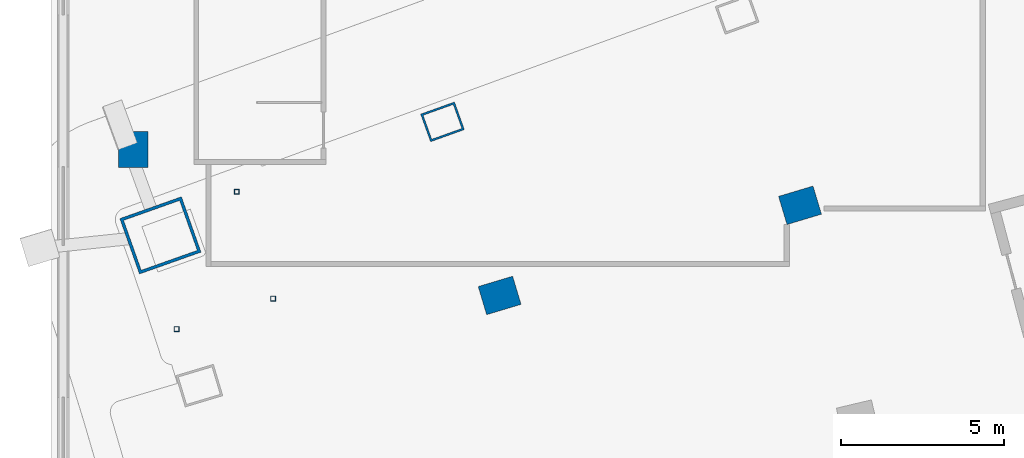
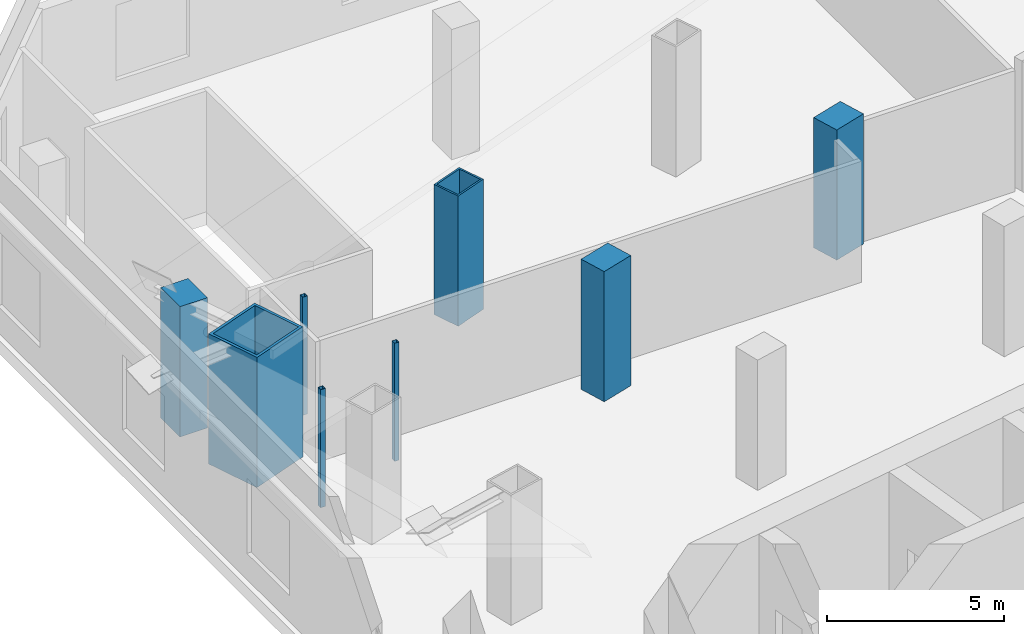
# One storey, part 6 of 19: 8 columns.
"""IFC4 building model written with IfcOpenShell, lengths in metres."""

from ifc_helpers import new_model, si_unit, direction, frame, origin, origin_2d, place, context, subcontext, project, spatial, rectangle, hollow_rectangle, extrude, material, material_profile, profile_set, type_object, element, save


model = new_model("IFC4")

# Units and contexts
model_context = context("Model", 3, precision=1e-05, world=origin(), true_north=direction((0.0, 1.0)))
body_context = subcontext(model_context, "Body", "Model", "MODEL_VIEW")
ifc_project = project(units=[si_unit("LENGTHUNIT", "METRE"), si_unit("AREAUNIT", "SQUARE_METRE"), si_unit("VOLUMEUNIT", "CUBIC_METRE"), si_unit("PLANEANGLEUNIT", "RADIAN"), si_unit("MASSUNIT", "GRAM", prefix="KILO")], contexts=[model_context])

# Site, building, storey
site_placement = place(None, origin())
site = spatial("IfcSite", under=ifc_project, at=site_placement, CompositionType="ELEMENT")
building_placement = place(site_placement, origin())
building = spatial("IfcBuilding", under=site, at=building_placement, Name="Alderwake Tower", CompositionType="ELEMENT")
storey_placement = place(building_placement, frame((0.0, 0.0, 27.5)))
storey = spatial("IfcBuildingStorey", under=building, at=storey_placement, Name="L05", CompositionType="ELEMENT", Elevation=27.5)

# Columns
ifc_material_1 = material(Name="Steel ASTM A572 Grade 50 concrete filled C70/85", Category="concrete")
ifc_material_profile_1 = material_profile(ifc_material_1, hollow_rectangle(XDim=0.89990234375, YDim=1.10009765625, WallThickness=0.06005859375, at=origin_2d()), Name="BOX 1100X900X60")
ifc_profile_set_1 = profile_set([ifc_material_profile_1], Name="Steel ASTM A572 Grade 50 concrete filled C70/85")
column_type_1 = type_object("IfcColumnType", Name="End column Z1", PredefinedType="COLUMN", material=ifc_profile_set_1)
column_1_placement = place(storey_placement, frame((19.965576171875, 96.8515625, 0.0), z_axis=(0.0, 0.0, 1.0), x_axis=(-0.337584879279, 0.9412950915, 0.0)))
element("IfcColumn", 1, at=column_1_placement, inside=storey, type_object=column_type_1, Name="Column R13-C1", PredefinedType="COLUMN", context=body_context, shape_type="SweptSolid", body=[
    extrude(hollow_rectangle(XDim=0.89990234375, YDim=1.10009765625, WallThickness=0.06005859375, at=origin_2d()), origin(), (0.0, 0.0, 1.0), 4.5),
])
ifc_material_2 = material(Name="Concrete C70/85", Category="concrete")
ifc_material_profile_2 = material_profile(ifc_material_2, rectangle(XDim=0.89990234375, YDim=1.10009765625, at=origin_2d()), Name="RC 1100X900")
ifc_profile_set_2 = profile_set([ifc_material_profile_2], Name="Concrete C70/85")
column_type_2 = type_object("IfcColumnType", Name="Interior column Z1", PredefinedType="COLUMN", material=ifc_profile_set_2)
for number, where, z_axis, x_axis, name in (
    (2, (21.714599609375, 91.53759765625, 0.0), (0.0, 0.0, 1.0), (-0.287549418125, 0.957765802342, 0.0), "Column R12-C1"),
    (3, (30.9091796875, 94.298095703125, 0.0), (0.0, 0.0, 1.0), (-0.287549418125, 0.957765802342, 0.0), "Column R12-C2"),
):
    element("IfcColumn", number, at=place(storey_placement, frame(where, z_axis=z_axis, x_axis=x_axis)), inside=storey, type_object=column_type_2, Name=name, PredefinedType="COLUMN", context=body_context, shape_type="SweptSolid", body=[
        extrude(rectangle(XDim=0.89990234375, YDim=1.10009765625, at=origin_2d()), origin(), (0.0, 0.0, 1.0), 4.5),
    ])
ifc_material_3 = material(Name="Steel ASTM A500 Grade C", Category="steel")
ifc_material_profile_3 = material_profile(ifc_material_3, hollow_rectangle(XDim=0.15234375, YDim=0.15234375, WallThickness=0.0087890625, at=origin_2d()), Name="HSS6X6X3/8")
ifc_profile_set_3 = profile_set([ifc_material_profile_3], Name="Steel ASTM A500 Grade C")
column_type_3 = type_object("IfcColumnType", Name="Light post HSS6X6X3/8", PredefinedType="COLUMN", material=ifc_profile_set_3)
for number, where, z_axis, x_axis, name in (
    (4, (11.82568359375, 90.507080078125, 0.0), (0.0, 0.0, 1.0), (1.0, 0.0, 0.0), "Terrace post RN1"),
    (5, (13.66796875, 94.71240234375, 0.0), (0.0, 0.0, 1.0), (1.0, 0.0, 0.0), "Terrace post RN2"),
    (6, (14.781494140625, 91.441650390625, 0.0), (0.0, 0.0, 1.0), (1.0, 0.0, 0.0), "Terrace post RN3"),
):
    element("IfcColumn", number, at=place(storey_placement, frame(where, z_axis=z_axis, x_axis=x_axis)), inside=storey, type_object=column_type_3, Name=name, PredefinedType="COLUMN", context=body_context, shape_type="SweptSolid", body=[
        extrude(hollow_rectangle(XDim=0.15234375, YDim=0.15234375, WallThickness=0.0087890625, at=origin_2d()), origin(), (0.0, 0.0, 1.0), 4.080078125),
    ])
ifc_material_4 = material(Name="Steel ASTM A572 Grade 50 concrete filled C70/85", Category="concrete")
ifc_material_profile_4 = material_profile(ifc_material_4, hollow_rectangle(XDim=1.800048828125, YDim=2.0, WallThickness=0.090087890625, at=origin_2d()), Name="BOX 2000X1800X90")
ifc_profile_set_4 = profile_set([ifc_material_profile_4], Name="Steel ASTM A572 Grade 50 concrete filled C70/85")
column_type_4 = type_object("IfcColumnType", Name="Mega column Z1", PredefinedType="COLUMN", material=ifc_profile_set_4)
column_2_placement = place(storey_placement, frame((11.330810546875, 93.377197265625, 0.0), z_axis=(0.0, 0.0, 1.0), x_axis=(-0.334130947791, 0.942526662609, 0.0)))
element("IfcColumn", 7, at=column_2_placement, inside=storey, type_object=column_type_4, Name="Column R13-C0", PredefinedType="COLUMN", context=body_context, shape_type="SweptSolid", body=[
    extrude(hollow_rectangle(XDim=1.800048828125, YDim=2.0, WallThickness=0.090087890625, at=origin_2d()), origin(), (0.0, 0.0, 1.0), 4.5),
])
ifc_material_5 = material(Name="Concrete C70/85", Category="concrete")
ifc_material_profile_5 = material_profile(ifc_material_5, rectangle(XDim=0.89990234375, YDim=1.10009765625, at=origin_2d()), Name="RC 1100X900")
ifc_profile_set_5 = profile_set([ifc_material_profile_5], Name="Concrete C70/85")
column_type_5 = type_object("IfcColumnType", Name="Podium column", PredefinedType="COLUMN", material=ifc_profile_set_5)
column_3_placement = place(storey_placement, frame((10.5, 96.0, 0.0), z_axis=(0.0, 0.0, 1.0), x_axis=(1.0, 0.0, 0.0)))
element("IfcColumn", 8, at=column_3_placement, inside=storey, type_object=column_type_5, Name="Column XW-YM", PredefinedType="COLUMN", context=body_context, shape_type="SweptSolid", body=[
    extrude(rectangle(XDim=0.89990234375, YDim=1.10009765625, at=origin_2d()), origin(), (0.0, 0.0, 1.0), 4.5),
])

save(model, "model.ifc")
